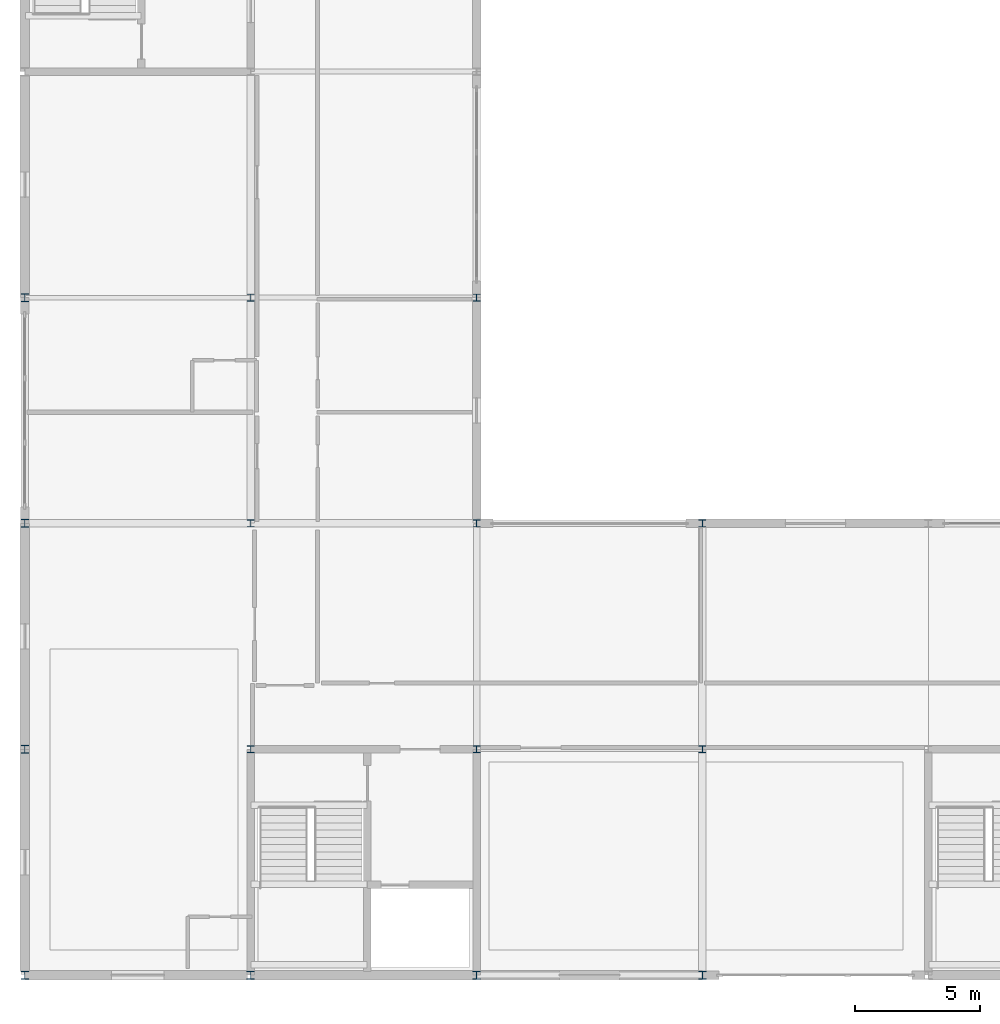
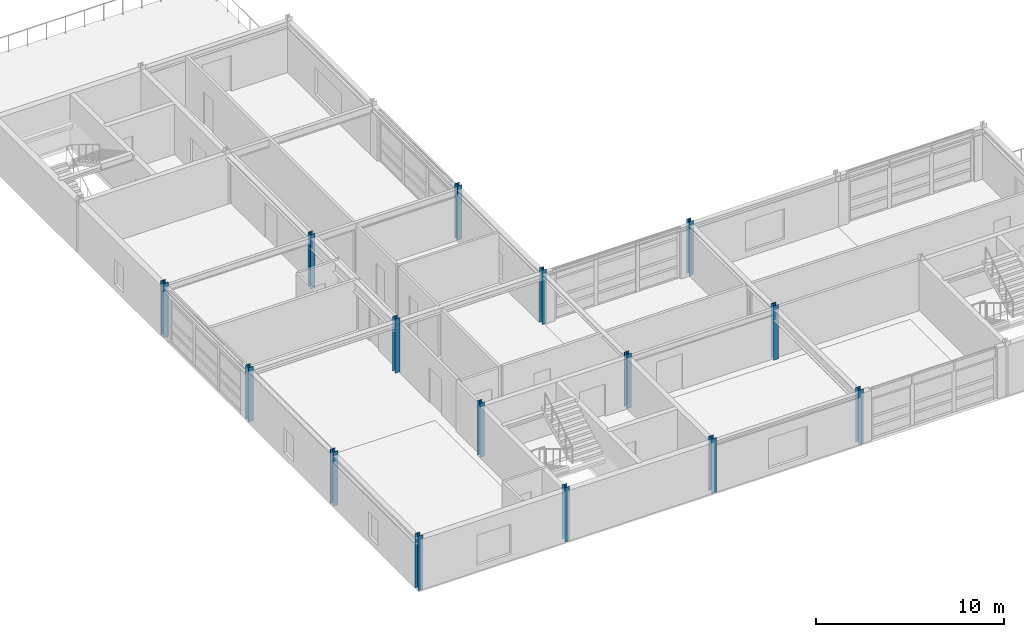
# One storey, part 1 of 11: 15 columns.
"""IFC4 building model written with IfcOpenShell, lengths in metres."""

from ifc_helpers import new_model, si_unit, direction, frame, origin, origin_2d, place, context, subcontext, project, spatial, i_section, extrude, material, material_profile, profile_set, type_object, element, save


model = new_model("IFC4")

# Units and contexts
model_context = context("Model", 3, precision=1e-05, world=origin(), true_north=direction((0.0, 1.0)))
body_context = subcontext(model_context, "Body", "Model", "MODEL_VIEW")
ifc_project = project(units=[si_unit("LENGTHUNIT", "METRE"), si_unit("AREAUNIT", "SQUARE_METRE"), si_unit("VOLUMEUNIT", "CUBIC_METRE"), si_unit("PLANEANGLEUNIT", "RADIAN"), si_unit("MASSUNIT", "GRAM", prefix="KILO")], contexts=[model_context])

# Site, building, storey
site_placement = place(None, origin())
site = spatial("IfcSite", under=ifc_project, at=site_placement, CompositionType="ELEMENT")
building_placement = place(site_placement, origin())
building = spatial("IfcBuilding", under=site, at=building_placement, Name="Palais des Congres Ocreval", CompositionType="ELEMENT")
storey_placement = place(building_placement, frame((0.0, 0.0, 26.8798828125)))
storey = spatial("IfcBuildingStorey", under=building, at=storey_placement, Name="L08", CompositionType="ELEMENT", Elevation=26.8798828125)

# Columns
ifc_material = material(Name="Steel S355", Category="steel")
ifc_material_profile_1 = material_profile(ifc_material, i_section(OverallWidth=0.280029296875, OverallDepth=0.280029296875, WebThickness=0.010498046875, FlangeThickness=0.01806640625, at=origin_2d()), Name="HEB 280")
ifc_profile_set_1 = profile_set([ifc_material_profile_1], Name="Steel S355")
column_type_1 = type_object("IfcColumnType", Name="Column HEB 280 Steel S355", PredefinedType="COLUMN", material=ifc_profile_set_1)
for number, where, z_axis, x_axis, name in (
    (1, (9.0, 9.0, 0.0), (0.0, 0.0, 1.0), (1.0, 0.0, 0.0), "Column C13 L08"),
    (2, (9.0, 18.0, 0.0), (0.0, 0.0, 1.0), (1.0, 0.0, 0.0), "Column C13 L08"),
    (3, (9.0, 27.0, 0.0), (0.0, 0.0, 1.0), (1.0, 0.0, 0.0), "Column C13 L08"),
    (4, (18.0, 9.0, 0.0), (0.0, 0.0, 1.0), (1.0, 0.0, 0.0), "Column C13 L08"),
    (5, (18.0, 18.0, 0.0), (0.0, 0.0, 1.0), (1.0, 0.0, 0.0), "Column C13 L08"),
    (6, (18.0, 27.0, 0.0), (0.0, 0.0, 1.0), (1.0, 0.0, 0.0), "Column C13 L08"),
    (7, (27.0, 9.0, 0.0), (0.0, 0.0, 1.0), (1.0, 0.0, 0.0), "Column C13 L08"),
    (8, (27.0, 18.0, 0.0), (0.0, 0.0, 1.0), (1.0, 0.0, 0.0), "Column C13 L08"),
):
    element("IfcColumn", number, at=place(storey_placement, frame(where, z_axis=z_axis, x_axis=x_axis)), inside=storey, type_object=column_type_1, Name=name, PredefinedType="COLUMN", context=body_context, shape_type="SweptSolid", body=[
        extrude(i_section(OverallWidth=0.280029296875, OverallDepth=0.280029296875, WebThickness=0.010498046875, FlangeThickness=0.01806640625, at=origin_2d()), origin(), (0.0, 0.0, 1.0), 3.52001953125),
    ])
ifc_material_profile_2 = material_profile(ifc_material, i_section(OverallWidth=0.300048828125, OverallDepth=0.320068359375, WebThickness=0.011474609375, FlangeThickness=0.0205078125, at=origin_2d()), Name="HEB 320")
ifc_profile_set_2 = profile_set([ifc_material_profile_2], Name="Steel S355")
column_type_2 = type_object("IfcColumnType", Name="Column HEB 320 Steel S355", PredefinedType="COLUMN", material=ifc_profile_set_2)
for number, where, z_axis, x_axis, name in (
    (9, (0.0, 0.0, 0.0), (0.0, 0.0, 1.0), (1.0, 0.0, 0.0), "Column C12 L08"),
    (10, (0.0, 9.0, 0.0), (0.0, 0.0, 1.0), (1.0, 0.0, 0.0), "Column C12 L08"),
    (11, (0.0, 18.0, 0.0), (0.0, 0.0, 1.0), (1.0, 0.0, 0.0), "Column C12 L08"),
    (12, (0.0, 27.0, 0.0), (0.0, 0.0, 1.0), (1.0, 0.0, 0.0), "Column C12 L08"),
    (13, (9.0, 0.0, 0.0), (0.0, 0.0, 1.0), (1.0, 0.0, 0.0), "Column C12 L08"),
    (14, (18.0, 0.0, 0.0), (0.0, 0.0, 1.0), (1.0, 0.0, 0.0), "Column C12 L08"),
    (15, (27.0, 0.0, 0.0), (0.0, 0.0, 1.0), (1.0, 0.0, 0.0), "Column C12 L08"),
):
    element("IfcColumn", number, at=place(storey_placement, frame(where, z_axis=z_axis, x_axis=x_axis)), inside=storey, type_object=column_type_2, Name=name, PredefinedType="COLUMN", context=body_context, shape_type="SweptSolid", body=[
        extrude(i_section(OverallWidth=0.300048828125, OverallDepth=0.320068359375, WebThickness=0.011474609375, FlangeThickness=0.0205078125, at=origin_2d()), origin(), (0.0, 0.0, 1.0), 3.52001953125),
    ])

save(model, "model.ifc")
